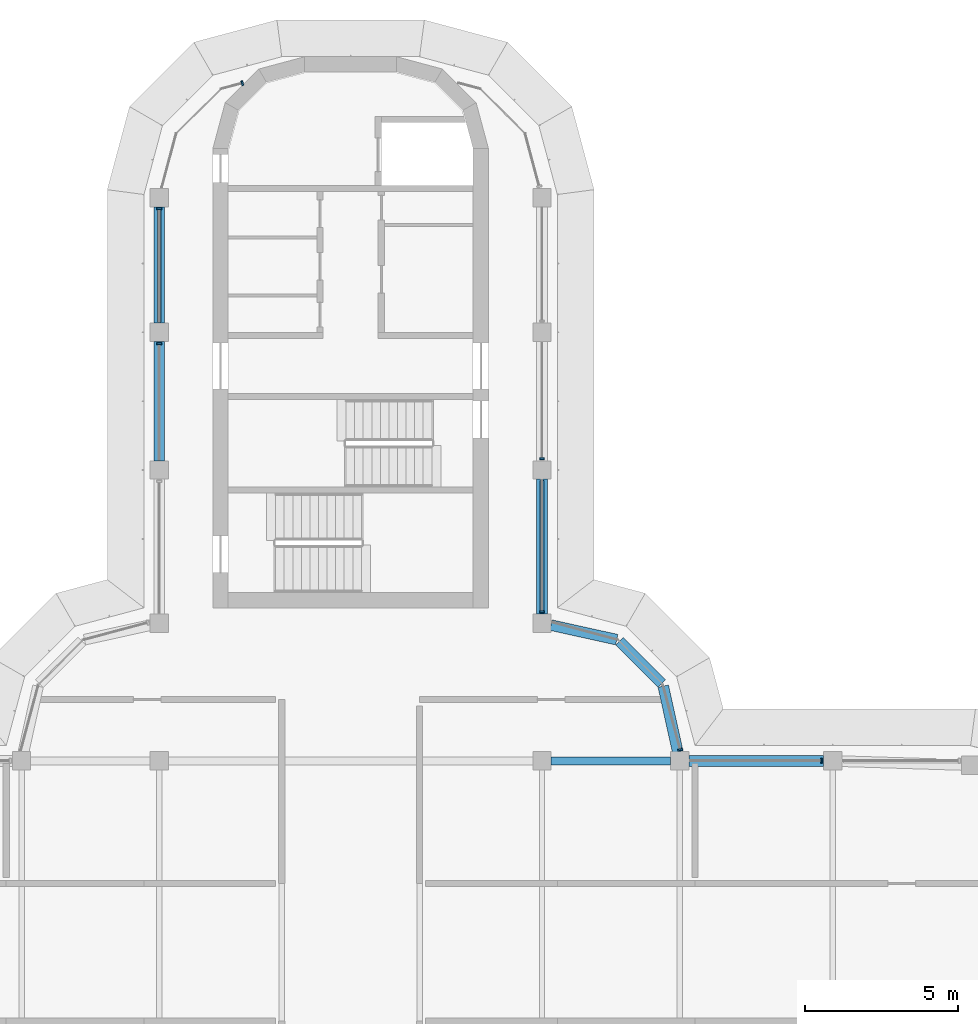
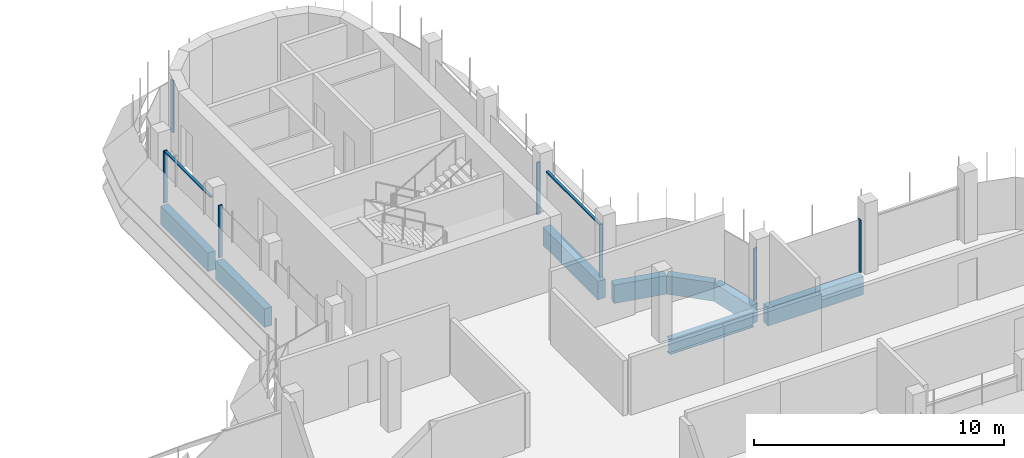
# One storey, part 7 of 20: 9 members, 8 beams, 5 elements without a shape of their own.
"""IFC4 building model written with IfcOpenShell, lengths in metres."""

from ifc_helpers import new_model, si_unit, direction, frame, origin, origin_2d, place, context, subcontext, project, spatial, polyline, rectangle, i_section, outline, extrude, source, transform, mapped, material, material_profile, profile_set, type_object, element, aggregate, save


model = new_model("IFC4")

# Units and contexts
model_context = context("Model", 3, precision=1e-05, world=origin(), true_north=direction((0.0, 1.0)))
body_context = subcontext(model_context, "Body", "Model", "MODEL_VIEW")
ifc_project = project(units=[si_unit("LENGTHUNIT", "METRE"), si_unit("AREAUNIT", "SQUARE_METRE"), si_unit("VOLUMEUNIT", "CUBIC_METRE"), si_unit("PLANEANGLEUNIT", "RADIAN"), si_unit("MASSUNIT", "GRAM", prefix="KILO")], contexts=[model_context])

# Site, building, storey
site_placement = place(None, origin())
site = spatial("IfcSite", under=ifc_project, at=site_placement, CompositionType="ELEMENT")
building_placement = place(site_placement, origin())
building = spatial("IfcBuilding", under=site, at=building_placement, Name="Zarbagh Exchange Tower", CompositionType="ELEMENT")
storey_placement = place(building_placement, frame((0.0, 0.0, 291.60009765625)))
storey = spatial("IfcBuildingStorey", under=building, at=storey_placement, Name="L71", CompositionType="ELEMENT", Elevation=291.60009765625)

# Beams
ifc_material_1 = material(Name="Steel ASTM A992 Gr 50", Category="steel")
ifc_material_profile_1 = material_profile(ifc_material_1, i_section(OverallWidth=0.26416015625, OverallDepth=0.749267578125, WebThickness=0.011962890625, FlangeThickness=0.015380859375, at=origin_2d()), Name="W30X90")
ifc_profile_set_1 = profile_set([ifc_material_profile_1], Name="Steel ASTM A992 Gr 50")
beam_type_1 = type_object("IfcBeamType", Name="Floor girder W30X90", PredefinedType="BEAM", material=ifc_profile_set_1)
beam_1_placement = place(storey_placement, frame((6.550048828125, 6.25, -0.524658203125), z_axis=(1.0, 0.0, 0.0), x_axis=(0.0, 1.0, 0.0)))
element("IfcBeam", 1, at=beam_1_placement, inside=storey, type_object=beam_type_1, Name="Steel girder", PredefinedType="BEAM", context=body_context, shape_type="SweptSolid", body=[
    extrude(i_section(OverallWidth=0.26416015625, OverallDepth=0.749267578125, WebThickness=0.011962890625, FlangeThickness=0.015380859375, at=origin_2d()), origin(), (0.0, 0.0, 1.0), 3.89990234375),
])
ifc_material_2 = material(Name="Concrete C40/50", Category="concrete")
ifc_material_profile_2 = material_profile(ifc_material_2, rectangle(XDim=0.35009765625, YDim=0.89990234375, at=origin_2d()), Name="RC spandrel beam 350 x 900 C40/50")
ifc_profile_set_2 = profile_set([ifc_material_profile_2], Name="Concrete C40/50")
beam_type_2 = type_object("IfcBeamType", Name="RC spandrel beam 350 x 900 C40/50", PredefinedType="SPANDREL", material=ifc_profile_set_2)
beam_2_placement = place(storey_placement, frame((-6.25, 16.050048828125, -0.60009765625), z_axis=(0.0, 1.0, 0.0), x_axis=(-1.0, 0.0, 0.0)))
element("IfcBeam", 2, at=beam_2_placement, inside=storey, type_object=beam_type_2, Name="RC spandrel beam", PredefinedType="SPANDREL", context=body_context, shape_type="SweptSolid", body=[
    extrude(rectangle(XDim=0.35009765625, YDim=0.89990234375, at=origin_2d()), origin(), (0.0, 0.0, 1.0), 3.89990234375),
])
beam_3_placement = place(storey_placement, frame((-6.25, 20.550048828125, -0.60009765625), z_axis=(0.0, 1.0, 0.0), x_axis=(-1.0, 0.0, 0.0)))
element("IfcBeam", 3, at=beam_3_placement, inside=storey, type_object=beam_type_2, Name="RC spandrel beam", PredefinedType="SPANDREL", context=body_context, shape_type="SweptSolid", body=[
    extrude(rectangle(XDim=0.35009765625, YDim=0.89990234375, at=origin_2d()), origin(), (0.0, 0.0, 1.0), 3.800048828125),
])
beam_4_placement = place(storey_placement, frame((6.25, 15.449951171875, -0.60009765625), z_axis=(0.0, -1.0, 0.0), x_axis=(1.0, 0.0, 0.0)))
element("IfcBeam", 4, at=beam_4_placement, inside=storey, type_object=beam_type_2, Name="RC spandrel beam", PredefinedType="SPANDREL", context=body_context, shape_type="SweptSolid", body=[
    extrude(rectangle(XDim=0.35009765625, YDim=0.89990234375, at=origin_2d()), origin(), (0.0, 0.0, 1.0), 4.39990234375),
])
beam_5_placement = place(storey_placement, frame((6.54296875, 10.685302734375, -0.60009765625), z_axis=(0.976387662047, -0.216025770228, 0.0), x_axis=(0.216025770228, 0.976387662047, 0.0)))
element("IfcBeam", 5, at=beam_5_placement, inside=storey, type_object=beam_type_2, Name="RC spandrel beam", PredefinedType="SPANDREL", context=body_context, shape_type="SweptSolid", body=[
    extrude(rectangle(XDim=0.35009765625, YDim=0.89990234375, at=origin_2d()), origin(), (0.0, 0.0, 1.0), 2.200439453125),
])
beam_6_placement = place(storey_placement, frame((8.77734375, 10.16259765625, -0.60009765625), z_axis=(0.707106781187, -0.707106781187, 0.0), x_axis=(0.707106781187, 0.707106781187, 0.0)))
element("IfcBeam", 6, at=beam_6_placement, inside=storey, type_object=beam_type_2, Name="RC spandrel beam", PredefinedType="SPANDREL", context=body_context, shape_type="SweptSolid", body=[
    extrude(rectangle(XDim=0.35009765625, YDim=0.89990234375, at=origin_2d()), origin(), (0.0, 0.0, 1.0), 1.958984375),
])
beam_7_placement = place(storey_placement, frame((10.2099609375, 8.69140625, -0.60009765625), z_axis=(0.216025770228, -0.976387662047, 0.0), x_axis=(0.976387662047, 0.216025770228, 0.0)))
element("IfcBeam", 7, at=beam_7_placement, inside=storey, type_object=beam_type_2, Name="RC spandrel beam", PredefinedType="SPANDREL", context=body_context, shape_type="SweptSolid", body=[
    extrude(rectangle(XDim=0.35009765625, YDim=0.89990234375, at=origin_2d()), origin(), (0.0, 0.0, 1.0), 2.200439453125),
])
beam_8_placement = place(storey_placement, frame((11.050048828125, 6.25, -0.60009765625), z_axis=(1.0, 0.0, 0.0), x_axis=(0.0, 1.0, 0.0)))
element("IfcBeam", 8, at=beam_8_placement, inside=storey, type_object=beam_type_2, Name="RC spandrel beam", PredefinedType="SPANDREL", context=body_context, shape_type="SweptSolid", body=[
    extrude(rectangle(XDim=0.35009765625, YDim=0.89990234375, at=origin_2d()), origin(), (0.0, 0.0, 1.0), 4.39990234375),
])

# Curtain wall, member
ifc_material_3 = material(Name="Anodised aluminium frame and glazing", Category="aluminium")
curtain_wall_type = type_object("IfcCurtainWallType", Name="CWF Crown tier glazing", PredefinedType="NOTDEFINED", material=ifc_material_3)
curtain_wall_1_placement = place(storey_placement, origin())
curtain_wall_1 = element("IfcCurtainWall", 9, at=curtain_wall_1_placement, inside=storey, type_object=curtain_wall_type, Name="CWF20 curtain wall", PredefinedType="NOTDEFINED")
ifc_material_4 = material(Name="Anodised aluminium frame", Category="aluminium")
member_type_1 = type_object("IfcMemberType", Name="TRF Transom, anodised aluminium frame", PredefinedType="USERDEFINED", material=ifc_material_4)
shared_shape_1 = source(origin(), body_context, "Body", "SweptSolid", [
    extrude(outline(polyline([(-0.06005859375, -0.06005859375), (0.0, -0.06005859375), (0.0, 0.06005859375), (-0.06005859375, 0.06005859375), (-0.06005859375, -0.06005859375)])), origin(), (0.0, 0.0, 1.0), 4.260009765625),
])
placement = place(storey_placement, origin())
member_1 = element("IfcMember", 10, at=placement, type_object=member_type_1, Name="CWF20 transom 1.1", ObjectType="TRANSOM", PredefinedType="USERDEFINED", context=body_context, shape_type="MappedRepresentation", body=[
    mapped(shared_shape_1, transform((6.25, 11.150146484375, 2.5498046875), x_axis=(0.0, 0.0, 1.0), y_axis=(1.0, 0.0, 0.0), z_axis=(0.0, 1.0, 0.0))),
])

curtain_wall_2_placement = place(storey_placement, origin())
curtain_wall_2 = element("IfcCurtainWall", 11, at=curtain_wall_2_placement, inside=storey, type_object=curtain_wall_type, Name="CWF27 curtain wall", PredefinedType="NOTDEFINED")
shared_shape_2 = source(origin(), body_context, "Body", "SweptSolid", [
    extrude(outline(polyline([(-0.06005859375, -0.06005859375), (0.0, -0.06005859375), (0.0, 0.06005859375), (-0.06005859375, 0.06005859375), (-0.06005859375, -0.06005859375)])), origin(), (0.0, 0.0, 1.0), 3.659912109375),
])
member_2 = element("IfcMember", 12, at=placement, type_object=member_type_1, Name="CWF27 transom 1.1", ObjectType="TRANSOM", PredefinedType="USERDEFINED", context=body_context, shape_type="MappedRepresentation", body=[
    mapped(shared_shape_2, transform((-6.25, 24.25, 2.5498046875), x_axis=(0.0, 0.0, 1.0), y_axis=(-1.0, 0.0, 0.0), z_axis=(0.0, -1.0, 0.0))),
])

curtain_wall_3_placement = place(storey_placement, origin())
curtain_wall_3 = element("IfcCurtainWall", 13, at=curtain_wall_3_placement, inside=storey, type_object=curtain_wall_type, Name="CWF16 curtain wall", PredefinedType="NOTDEFINED")
member_type_2 = type_object("IfcMemberType", Name="MUF Mullion, anodised aluminium frame", PredefinedType="MULLION", material=ifc_material_4)
shared_shape_3 = source(origin(), body_context, "Body", "SweptSolid", [
    extrude(outline(polyline([(0.0, -0.080078125), (0.06005859375, -0.080078125), (0.06005859375, 0.080078125), (0.0, 0.080078125), (0.0, -0.080078125)])), origin(), (0.0, 0.0, 1.0), 2.550048828125),
])
member_3 = element("IfcMember", 14, at=placement, type_object=member_type_2, Name="CWF16 mullion 2.1", PredefinedType="MULLION", context=body_context, shape_type="MappedRepresentation", body=[
    mapped(shared_shape_3, transform((15.409912109375, 6.25, 0.0), x_axis=(-1.0, 0.0, 0.0), y_axis=(0.0, -1.0, 0.0), z_axis=(0.0, 0.0, 1.0))),
])
aggregate(curtain_wall_3, [member_3])

curtain_wall_4_placement = place(storey_placement, origin())
curtain_wall_4 = element("IfcCurtainWall", 15, at=curtain_wall_4_placement, inside=storey, type_object=curtain_wall_type, Name="CWF17 curtain wall", PredefinedType="NOTDEFINED")
member_4 = element("IfcMember", 16, at=placement, type_object=member_type_2, Name="CWF17 mullion 1.1", PredefinedType="MULLION", context=body_context, shape_type="MappedRepresentation", body=[
    mapped(shared_shape_3, transform((10.775146484375, 6.590087890625, 0.0), x_axis=(-0.258824779902, 0.965924289636, 0.0), y_axis=(-0.965924289636, -0.258824779902, 0.0), z_axis=(0.0, 0.0, 1.0))),
])
aggregate(curtain_wall_4, [member_4])

# Member
member_5 = element("IfcMember", 17, at=placement, type_object=member_type_2, Name="CWF20 mullion 1.1", PredefinedType="MULLION", context=body_context, shape_type="MappedRepresentation", body=[
    mapped(shared_shape_3, transform((6.25, 11.090087890625, 0.0), x_axis=(0.0, 1.0, 0.0), y_axis=(-1.0, 0.0, 0.0), z_axis=(0.0, 0.0, 1.0))),
])

member_6 = element("IfcMember", 18, at=placement, type_object=member_type_2, Name="CWF20 mullion 2.1", PredefinedType="MULLION", context=body_context, shape_type="MappedRepresentation", body=[
    mapped(shared_shape_3, transform((6.25, 16.090087890625, 0.0), x_axis=(0.0, 1.0, 0.0), y_axis=(-1.0, 0.0, 0.0), z_axis=(0.0, 0.0, 1.0))),
])

aggregate(curtain_wall_1, [member_5, member_1, member_6])

# Curtain wall, member
curtain_wall_5_placement = place(storey_placement, origin())
curtain_wall_5 = element("IfcCurtainWall", 19, at=curtain_wall_5_placement, inside=storey, type_object=curtain_wall_type, Name="CWF24 curtain wall", PredefinedType="NOTDEFINED")
member_7 = element("IfcMember", 20, at=placement, type_object=member_type_2, Name="CWF24 mullion 1.1", PredefinedType="MULLION", context=body_context, shape_type="MappedRepresentation", body=[
    mapped(shared_shape_3, transform((-3.510009765625, 28.394775390625, 0.0), x_axis=(-0.965924289636, -0.258824779902, 0.0), y_axis=(0.258824779902, -0.965924289636, 0.0), z_axis=(0.0, 0.0, 1.0))),
])
aggregate(curtain_wall_5, [member_7])

# Member
member_8 = element("IfcMember", 21, at=placement, type_object=member_type_2, Name="CWF27 mullion 1.1", PredefinedType="MULLION", context=body_context, shape_type="MappedRepresentation", body=[
    mapped(shared_shape_3, transform((-6.25, 24.31005859375, 0.0), x_axis=(0.0, -1.0, 0.0), y_axis=(1.0, 0.0, 0.0), z_axis=(0.0, 0.0, 1.0))),
])

member_9 = element("IfcMember", 22, at=placement, type_object=member_type_2, Name="CWF27 mullion 2.1", PredefinedType="MULLION", context=body_context, shape_type="MappedRepresentation", body=[
    mapped(shared_shape_3, transform((-6.25, 19.909912109375, 0.0), x_axis=(0.0, -1.0, 0.0), y_axis=(1.0, 0.0, 0.0), z_axis=(0.0, 0.0, 1.0))),
])

aggregate(curtain_wall_2, [member_8, member_2, member_9])

save(model, "model.ifc")
